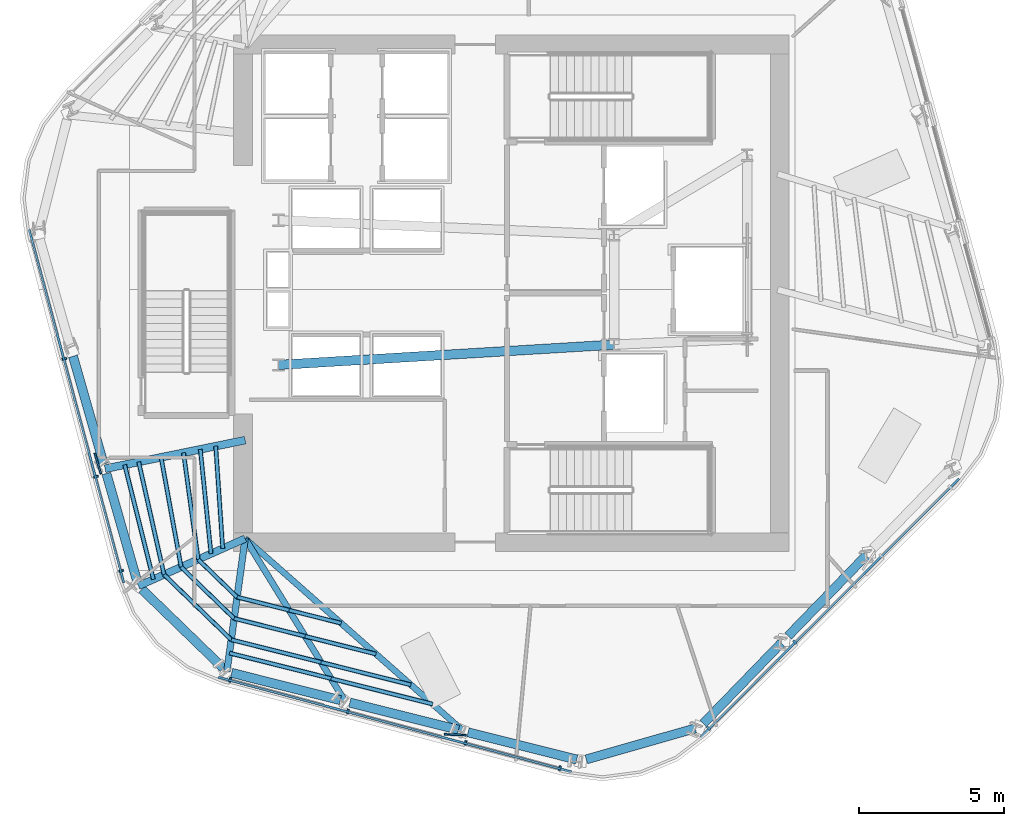
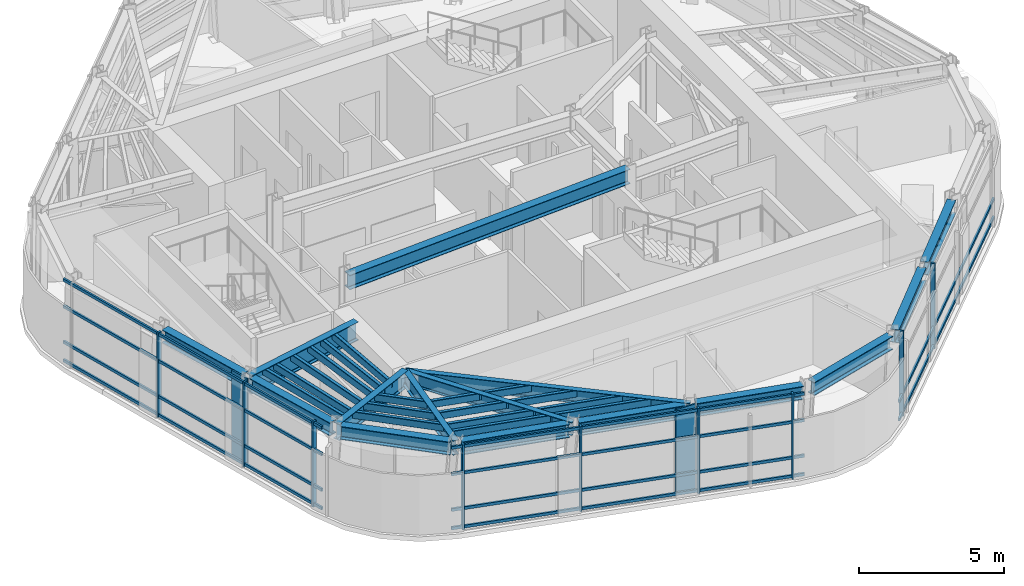
# One storey, part 2 of 13: 38 members, 15 beams, 3 elements without a shape of their own.
"""IFC4 building model written with IfcOpenShell, lengths in metres."""

from ifc_helpers import new_model, si_unit, direction, frame, origin, origin_2d, place, context, subcontext, project, spatial, rectangle, hollow_rectangle, i_section, extrude, material, layer, layer_set, material_profile, profile_set, type_object, element, aggregate, save


model = new_model("IFC4")

# Units and contexts
model_context = context("Model", 3, precision=1e-05, world=origin(), true_north=direction((0.0, 1.0)))
body_context = subcontext(model_context, "Body", "Model", "MODEL_VIEW")
ifc_project = project(units=[si_unit("LENGTHUNIT", "METRE"), si_unit("AREAUNIT", "SQUARE_METRE"), si_unit("VOLUMEUNIT", "CUBIC_METRE"), si_unit("PLANEANGLEUNIT", "RADIAN"), si_unit("MASSUNIT", "GRAM", prefix="KILO")], contexts=[model_context])

# Site, building, storey
site_placement = place(None, origin())
site = spatial("IfcSite", under=ifc_project, at=site_placement, CompositionType="ELEMENT")
building_placement = place(site_placement, origin())
building = spatial("IfcBuilding", under=site, at=building_placement, Name="Valkerne Bourse Tower", CompositionType="ELEMENT")
storey_placement = place(building_placement, frame((0.0, 0.0, 217.0)))
storey = spatial("IfcBuildingStorey", under=building, at=storey_placement, Name="L55", CompositionType="ELEMENT", Elevation=217.0)

# Beams
ifc_material_1 = material(Name="Steel ASTM A992", Category="steel")
ifc_material_profile_1 = material_profile(ifc_material_1, i_section(OverallWidth=0.31494140625, OverallDepth=0.5537109375, WebThickness=0.0166015625, FlangeThickness=0.026123046875, FilletRadius=0.020263671875, at=origin_2d()), Name="W21X132")
ifc_profile_set_1 = profile_set([ifc_material_profile_1], Name="Steel ASTM A992")
beam_type_1 = type_object("IfcBeamType", Name="BM-W21X132", PredefinedType="BEAM", material=ifc_profile_set_1)
for number, where, z_axis, x_axis, name in (
    (1, (31.65234375, 24.697998046875, 3.322998046875), (0.273963222598, -0.961740168998, 0.0), (0.961740168998, 0.273963222598, 0.0), "L55 Hexagonal Spandrel Ring Beam 09"),
    (2, (32.806396484375, 20.647216796875, 3.322998046875), (0.273904901023, -0.961756780686, 0.0), (0.961756780686, 0.273904901023, 0.0), "L55 Hexagonal Spandrel Ring Beam 10"),
):
    element("IfcBeam", number, at=place(storey_placement, frame(where, z_axis=z_axis, x_axis=x_axis)), inside=storey, type_object=beam_type_1, Name=name, PredefinedType="BEAM", context=body_context, shape_type="SweptSolid", body=[
        extrude(i_section(OverallWidth=0.31494140625, OverallDepth=0.5537109375, WebThickness=0.0166015625, FlangeThickness=0.026123046875, FilletRadius=0.020263671875, at=origin_2d()), origin(), (0.0, 0.0, 1.0), 3.8720703125),
    ])
beam_1_placement = place(storey_placement, frame((34.03564453125, 16.6416015625, 3.322998046875), z_axis=(0.718117526988, -0.695921847216, 0.0), x_axis=(0.695921847216, 0.718117526988, 0.0)))
element("IfcBeam", 3, at=beam_1_placement, inside=storey, type_object=beam_type_1, Name="L55 Hexagonal Spandrel Ring Beam 11", PredefinedType="BEAM", context=body_context, shape_type="SweptSolid", body=[
    extrude(i_section(OverallWidth=0.31494140625, OverallDepth=0.5537109375, WebThickness=0.0166015625, FlangeThickness=0.026123046875, FilletRadius=0.020263671875, at=origin_2d()), origin(), (0.0, 0.0, 1.0), 3.915771484375),
])
for number, where, z_axis, x_axis, name in (
    (4, (37.134521484375, 13.7568359375, 3.322998046875), (0.969882314, -0.243574007215, 0.0), (0.243574007215, 0.969882314, 0.0), "L55 Hexagonal Spandrel Ring Beam 12"),
    (5, (41.2197265625, 12.730712890625, 3.322998046875), (0.969882314, -0.243574007215, 0.0), (0.243574007215, 0.969882314, 0.0), "L55 Hexagonal Spandrel Ring Beam 13"),
    (6, (45.3046875, 11.70458984375, 3.322998046875), (0.969882314, -0.243574007215, 0.0), (0.243574007215, 0.969882314, 0.0), "L55 Hexagonal Spandrel Ring Beam 14"),
):
    element("IfcBeam", number, at=place(storey_placement, frame(where, z_axis=z_axis, x_axis=x_axis)), inside=storey, type_object=beam_type_1, Name=name, PredefinedType="BEAM", context=body_context, shape_type="SweptSolid", body=[
        extrude(i_section(OverallWidth=0.31494140625, OverallDepth=0.5537109375, WebThickness=0.0166015625, FlangeThickness=0.026123046875, FilletRadius=0.020263671875, at=origin_2d()), origin(), (0.0, 0.0, 1.0), 3.8720703125),
    ])
beam_2_placement = place(storey_placement, frame((49.388427734375, 10.7666015625, 3.322998046875), z_axis=(0.961740107607, 0.273963438109, 0.0), x_axis=(-0.273963438109, 0.961740107607, 0.0)))
element("IfcBeam", 7, at=beam_2_placement, inside=storey, type_object=beam_type_1, Name="L55 Hexagonal Spandrel Ring Beam 15", PredefinedType="BEAM", context=body_context, shape_type="SweptSolid", body=[
    extrude(i_section(OverallWidth=0.31494140625, OverallDepth=0.5537109375, WebThickness=0.0166015625, FlangeThickness=0.026123046875, FilletRadius=0.020263671875, at=origin_2d()), origin(), (0.0, 0.0, 1.0), 3.915771484375),
])
for number, where, z_axis, x_axis, name in (
    (8, (53.43603515625, 12.008056640625, 3.322998046875), (0.695922265033, 0.718117122085, 0.0), (-0.718117122085, 0.695922265033, 0.0), "L55 Hexagonal Spandrel Ring Beam 16"),
    (9, (56.3671875, 15.03271484375, 3.322998046875), (0.695954779127, 0.718085611477, 0.0), (-0.718085611477, 0.695954779127, 0.0), "L55 Hexagonal Spandrel Ring Beam 17"),
):
    element("IfcBeam", number, at=place(storey_placement, frame(where, z_axis=z_axis, x_axis=x_axis)), inside=storey, type_object=beam_type_1, Name=name, PredefinedType="BEAM", context=body_context, shape_type="SweptSolid", body=[
        extrude(i_section(OverallWidth=0.31494140625, OverallDepth=0.5537109375, WebThickness=0.0166015625, FlangeThickness=0.026123046875, FilletRadius=0.020263671875, at=origin_2d()), origin(), (0.0, 0.0, 1.0), 3.8720703125),
    ])
ifc_material_profile_2 = material_profile(ifc_material_1, i_section(OverallWidth=0.209228515625, OverallDepth=0.533447265625, WebThickness=0.01025390625, FlangeThickness=0.015625, FilletRadius=0.017822265625, at=origin_2d()), Name="W21X62")
ifc_profile_set_2 = profile_set([ifc_material_profile_2], Name="Steel ASTM A992")
beam_type_2 = type_object("IfcBeamType", Name="BM-W21X62", PredefinedType="JOIST", material=ifc_profile_set_2)
beam_3_placement = place(storey_placement, frame((45.139892578125, 11.74609375, 3.333251953125), z_axis=(-0.749786131835, 0.66168025247, 0.0), x_axis=(-0.66168025247, -0.749786131835, 0.0)))
element("IfcBeam", 10, at=beam_3_placement, inside=storey, type_object=beam_type_2, Name="L55 Radial Composite Floor Beam 14", PredefinedType="JOIST", context=body_context, shape_type="SweptSolid", body=[
    extrude(i_section(OverallWidth=0.209228515625, OverallDepth=0.533447265625, WebThickness=0.01025390625, FlangeThickness=0.015625, FilletRadius=0.017822265625, at=origin_2d()), origin(), (0.0, 0.0, 1.0), 10.055908203125),
])
ifc_material_profile_3 = material_profile(ifc_material_1, i_section(OverallWidth=0.2138671875, OverallDepth=0.548583984375, WebThickness=0.0146484375, FlangeThickness=0.023681640625, FilletRadius=0.017822265625, at=origin_2d()), Name="W21X93")
ifc_profile_set_3 = profile_set([ifc_material_profile_3], Name="Steel ASTM A992")
beam_type_3 = type_object("IfcBeamType", Name="BM-W21X93", PredefinedType="BEAM", material=ifc_profile_set_3)
beam_4_placement = place(storey_placement, frame((41.0546875, 12.772216796875, 3.32568359375), z_axis=(-0.523152336353, 0.852239187651, 0.0), x_axis=(-0.852239187651, -0.523152336353, 0.0)))
element("IfcBeam", 11, at=beam_4_placement, inside=storey, type_object=beam_type_3, Name="L55 Radial Composite Floor Beam 13", PredefinedType="BEAM", context=body_context, shape_type="SweptSolid", body=[
    extrude(i_section(OverallWidth=0.2138671875, OverallDepth=0.548583984375, WebThickness=0.0146484375, FlangeThickness=0.023681640625, FilletRadius=0.017822265625, at=origin_2d()), origin(), (0.0, 0.0, 1.0), 6.603515625),
])
ifc_material_profile_4 = material_profile(ifc_material_1, i_section(OverallWidth=0.3251953125, OverallDepth=0.612060546875, WebThickness=0.0126953125, FlangeThickness=0.01904296875, FilletRadius=0.020263671875, at=origin_2d()), Name="W24X104")
ifc_profile_set_4 = profile_set([ifc_material_profile_4], Name="Steel ASTM A992")
beam_type_4 = type_object("IfcBeamType", Name="BM-W24X104", PredefinedType="BEAM", material=ifc_profile_set_4)
beam_5_placement = place(storey_placement, frame((38.75, 24.39990234375, 3.2939453125), z_axis=(0.998183228389, 0.060251494276, 0.0), x_axis=(-0.060251494276, 0.998183228389, 0.0)))
element("IfcBeam", 12, at=beam_5_placement, inside=storey, type_object=beam_type_4, Name="L55 Core Frame Girder CG-SW", PredefinedType="BEAM", context=body_context, shape_type="SweptSolid", body=[
    extrude(i_section(OverallWidth=0.3251953125, OverallDepth=0.612060546875, WebThickness=0.0126953125, FlangeThickness=0.01904296875, FilletRadius=0.020263671875, at=origin_2d()), origin(), (0.0, 0.0, 1.0), 11.62109375),
])
ifc_material_profile_5 = material_profile(ifc_material_1, i_section(OverallWidth=0.228271484375, OverallDepth=0.607177734375, WebThickness=0.01123046875, FlangeThickness=0.017333984375, FilletRadius=0.017822265625, at=origin_2d()), Name="W24X76")
ifc_profile_set_5 = profile_set([ifc_material_profile_5], Name="Steel ASTM A992")
beam_type_5 = type_object("IfcBeamType", Name="BM-W24X76", PredefinedType="JOIST", material=ifc_profile_set_5)
beam_6_placement = place(storey_placement, frame((36.9697265625, 13.79833984375, 3.29638671875), z_axis=(0.135723062128, 0.990746814482, 0.0), x_axis=(-0.990746814482, 0.135723062128, 0.0)))
element("IfcBeam", 13, at=beam_6_placement, inside=storey, type_object=beam_type_5, Name="L55 Radial Composite Floor Beam 12", PredefinedType="JOIST", context=body_context, shape_type="SweptSolid", body=[
    extrude(i_section(OverallWidth=0.228271484375, OverallDepth=0.607177734375, WebThickness=0.01123046875, FlangeThickness=0.017333984375, FilletRadius=0.017822265625, at=origin_2d()), origin(), (0.0, 0.0, 1.0), 4.64453125),
])
ifc_material_profile_6 = material_profile(ifc_material_1, i_section(OverallWidth=0.255859375, OverallDepth=0.693359375, WebThickness=0.014404296875, FlangeThickness=0.023681640625, FilletRadius=0.02294921875, at=origin_2d()), Name="W27X114")
ifc_profile_set_6 = profile_set([ifc_material_profile_6], Name="Steel ASTM A992")
beam_type_6 = type_object("IfcBeamType", Name="BM-W27X114", PredefinedType="BEAM", material=ifc_profile_set_6)
beam_7_placement = place(storey_placement, frame((33.91357421875, 16.760009765625, 3.25341796875), z_axis=(0.913679254664, 0.406435996926, 0.0), x_axis=(-0.406435996926, 0.913679254664, 0.0)))
element("IfcBeam", 14, at=beam_7_placement, inside=storey, type_object=beam_type_6, Name="L55 Radial Composite Floor Beam 11", PredefinedType="BEAM", context=body_context, shape_type="SweptSolid", body=[
    extrude(i_section(OverallWidth=0.255859375, OverallDepth=0.693359375, WebThickness=0.014404296875, FlangeThickness=0.023681640625, FilletRadius=0.02294921875, at=origin_2d()), origin(), (0.0, 0.0, 1.0), 4.034912109375),
])
ifc_material_profile_7 = material_profile(ifc_material_1, i_section(OverallWidth=0.26806640625, OverallDepth=0.76953125, WebThickness=0.015625, FlangeThickness=0.025390625, FilletRadius=0.025390625, at=origin_2d()), Name="W30X132")
ifc_profile_set_7 = profile_set([ifc_material_profile_7], Name="Steel ASTM A992")
beam_type_7 = type_object("IfcBeamType", Name="BM-W30X132", PredefinedType="BEAM", material=ifc_profile_set_7)
beam_8_placement = place(storey_placement, frame((32.759765625, 20.810791015625, 3.215087890625), z_axis=(0.979747113152, 0.200238843059, 0.0), x_axis=(-0.200238843059, 0.979747113152, 0.0)))
element("IfcBeam", 15, at=beam_8_placement, inside=storey, type_object=beam_type_7, Name="L55 Radial Composite Floor Beam 10", PredefinedType="BEAM", context=body_context, shape_type="SweptSolid", body=[
    extrude(i_section(OverallWidth=0.26806640625, OverallDepth=0.76953125, WebThickness=0.015625, FlangeThickness=0.025390625, FilletRadius=0.025390625, at=origin_2d()), origin(), (0.0, 0.0, 1.0), 4.9404296875),
])

# Curtain wall, members
ifc_material_2 = material(Name="Aluminium AA 6063-T6", Category="aluminium")
ifc_layer = layer(ifc_material_2, 0.239990234375)
ifc_layer_set = layer_set([ifc_layer], Name="Aluminium AA 6063-T6")
curtain_wall_type = type_object("IfcCurtainWallType", Name="CW-04", PredefinedType="NOTDEFINED", material=ifc_layer_set)
curtain_wall_1_placement = place(storey_placement, origin())
curtain_wall_1 = element("IfcCurtainWall", 16, at=curtain_wall_1_placement, inside=storey, type_object=curtain_wall_type, Name="L55 Hexagonal Stick Curtain Wall Face 3", PredefinedType="NOTDEFINED")
ifc_material_profile_8 = material_profile(ifc_material_2, rectangle(XDim=0.074951171875, YDim=0.159912109375, at=origin_2d()), Name="CWM-75X160")
ifc_profile_set_8 = profile_set([ifc_material_profile_8], Name="Aluminium AA 6063-T6")
member_type_1 = type_object("IfcMemberType", Name="CW-MUL-160X75", PredefinedType="MULLION", material=ifc_profile_set_8)
member_1_placement = place(storey_placement, frame((31.3544921875, 24.606689453125, 0.0), z_axis=(0.0, 0.0, 1.0), x_axis=(0.258807683831, -0.965928870461, 0.0)))
member_1 = element("IfcMember", 17, at=member_1_placement, type_object=member_type_1, Name="CW-L55-F3 Jamb Mullion 01A", PredefinedType="MULLION", context=body_context, shape_type="SweptSolid", body=[
    extrude(rectangle(XDim=0.074951171875, YDim=0.159912109375, at=origin_2d()), origin(), (0.0, 0.0, 1.0), 3.60009765625),
])
member_2_placement = place(storey_placement, frame((32.444580078125, 20.538330078125, 0.0), z_axis=(0.0, 0.0, 1.0), x_axis=(0.25883577077, -0.965921344505, 0.0)))
member_2 = element("IfcMember", 18, at=member_2_placement, type_object=member_type_1, Name="CW-L55-F3 Jamb Mullion 02A", PredefinedType="MULLION", context=body_context, shape_type="SweptSolid", body=[
    extrude(rectangle(XDim=0.074951171875, YDim=0.159912109375, at=origin_2d()), origin(), (0.0, 0.0, 1.0), 3.60009765625),
])
member_3_placement = place(storey_placement, frame((33.3173828125, 17.28125, 0.0), z_axis=(0.0, 0.0, 1.0), x_axis=(0.25883577077, -0.965921344505, 0.0)))
member_3 = element("IfcMember", 19, at=member_3_placement, type_object=member_type_1, Name="CW-L55-F3 Jamb Mullion 02B", PredefinedType="MULLION", context=body_context, shape_type="SweptSolid", body=[
    extrude(rectangle(XDim=0.074951171875, YDim=0.159912109375, at=origin_2d()), origin(), (0.0, 0.0, 1.0), 3.60009765625),
])

curtain_wall_2_placement = place(storey_placement, origin())
curtain_wall_2 = element("IfcCurtainWall", 20, at=curtain_wall_2_placement, inside=storey, type_object=curtain_wall_type, Name="L55 Hexagonal Stick Curtain Wall Face 4", PredefinedType="NOTDEFINED")
member_4_placement = place(storey_placement, frame((37.081298828125, 13.517333984375, 0.0), z_axis=(0.0, 0.0, 1.0), x_axis=(0.965921344505, -0.25883577077, 0.0)))
member_4 = element("IfcMember", 21, at=member_4_placement, type_object=member_type_1, Name="CW-L55-F4 Jamb Mullion 00A", PredefinedType="MULLION", context=body_context, shape_type="SweptSolid", body=[
    extrude(rectangle(XDim=0.074951171875, YDim=0.159912109375, at=origin_2d()), origin(), (0.0, 0.0, 1.0), 3.60009765625),
])
member_5_placement = place(storey_placement, frame((41.149658203125, 12.427001953125, 0.0), z_axis=(0.0, 0.0, 1.0), x_axis=(0.965928870461, -0.258807683831, 0.0)))
member_5 = element("IfcMember", 22, at=member_5_placement, type_object=member_type_1, Name="CW-L55-F4 Jamb Mullion 01A", PredefinedType="MULLION", context=body_context, shape_type="SweptSolid", body=[
    extrude(rectangle(XDim=0.074951171875, YDim=0.159912109375, at=origin_2d()), origin(), (0.0, 0.0, 1.0), 3.60009765625),
])
member_6_placement = place(storey_placement, frame((45.21826171875, 11.3369140625, 0.0), z_axis=(0.0, 0.0, 1.0), x_axis=(0.96592293507, -0.258829835037, 0.0)))
member_6 = element("IfcMember", 23, at=member_6_placement, type_object=member_type_1, Name="CW-L55-F4 Jamb Mullion 02A", PredefinedType="MULLION", context=body_context, shape_type="SweptSolid", body=[
    extrude(rectangle(XDim=0.074951171875, YDim=0.159912109375, at=origin_2d()), origin(), (0.0, 0.0, 1.0), 3.60009765625),
])
member_7_placement = place(storey_placement, frame((48.475341796875, 10.464111328125, 0.0), z_axis=(0.0, 0.0, 1.0), x_axis=(0.96592293507, -0.258829835037, 0.0)))
member_7 = element("IfcMember", 24, at=member_7_placement, type_object=member_type_1, Name="CW-L55-F4 Jamb Mullion 02B", PredefinedType="MULLION", context=body_context, shape_type="SweptSolid", body=[
    extrude(rectangle(XDim=0.074951171875, YDim=0.159912109375, at=origin_2d()), origin(), (0.0, 0.0, 1.0), 3.60009765625),
])

curtain_wall_3_placement = place(storey_placement, origin())
curtain_wall_3 = element("IfcCurtainWall", 25, at=curtain_wall_3_placement, inside=storey, type_object=curtain_wall_type, Name="L55 Hexagonal Stick Curtain Wall Face 5", PredefinedType="NOTDEFINED")
member_8_placement = place(storey_placement, frame((53.616943359375, 11.842041015625, 0.0), z_axis=(0.0, 0.0, 1.0), x_axis=(0.707118651865, 0.707094910308, 0.0)))
member_8 = element("IfcMember", 26, at=member_8_placement, type_object=member_type_1, Name="CW-L55-F5 Jamb Mullion 00A", PredefinedType="MULLION", context=body_context, shape_type="SweptSolid", body=[
    extrude(rectangle(XDim=0.074951171875, YDim=0.159912109375, at=origin_2d()), origin(), (0.0, 0.0, 1.0), 3.60009765625),
])
member_9_placement = place(storey_placement, frame((56.595458984375, 14.8203125, 0.0), z_axis=(0.0, 0.0, 1.0), x_axis=(0.707106781187, 0.707106781187, 0.0)))
member_9 = element("IfcMember", 27, at=member_9_placement, type_object=member_type_1, Name="CW-L55-F5 Jamb Mullion 01A", PredefinedType="MULLION", context=body_context, shape_type="SweptSolid", body=[
    extrude(rectangle(XDim=0.074951171875, YDim=0.159912109375, at=origin_2d()), origin(), (0.0, 0.0, 1.0), 3.60009765625),
])

# Member
ifc_material_profile_9 = material_profile(ifc_material_2, rectangle(XDim=0.074951171875, YDim=0.1201171875, at=origin_2d()), Name="CWT-75X120")
ifc_profile_set_9 = profile_set([ifc_material_profile_9], Name="Aluminium AA 6063-T6")
member_type_2 = type_object("IfcMemberType", Name="CW-TRN-120X75", PredefinedType="USERDEFINED", material=ifc_profile_set_9)
member_10_placement = place(storey_placement, frame((30.13623046875, 29.07568359375, 0.1201171875), z_axis=(0.258826544699, -0.965923816747, 0.0), x_axis=(0.965923816747, 0.258826544699, 0.0)))
member_10 = element("IfcMember", 28, at=member_10_placement, type_object=member_type_2, Name="CW-L55-F3 Continuous Face Transom 1", ObjectType="TRANSOM", PredefinedType="USERDEFINED", context=body_context, shape_type="SweptSolid", body=[
    extrude(rectangle(XDim=0.074951171875, YDim=0.1201171875, at=origin_2d()), origin(), (0.0, 0.0, 1.0), 12.635986328125),
])

member_11_placement = place(storey_placement, frame((30.13623046875, 29.07568359375, 0.89990234375), z_axis=(0.258826544699, -0.965923816747, 0.0), x_axis=(0.965923816747, 0.258826544699, 0.0)))
member_11 = element("IfcMember", 29, at=member_11_placement, type_object=member_type_2, Name="CW-L55-F3 Continuous Face Transom 2", ObjectType="TRANSOM", PredefinedType="USERDEFINED", context=body_context, shape_type="SweptSolid", body=[
    extrude(rectangle(XDim=0.074951171875, YDim=0.1201171875, at=origin_2d()), origin(), (0.0, 0.0, 1.0), 12.635986328125),
])

member_12_placement = place(storey_placement, frame((30.13623046875, 29.07568359375, 2.39990234375), z_axis=(0.258826544699, -0.965923816747, 0.0), x_axis=(0.965923816747, 0.258826544699, 0.0)))
member_12 = element("IfcMember", 30, at=member_12_placement, type_object=member_type_2, Name="CW-L55-F3 Continuous Face Transom 3", ObjectType="TRANSOM", PredefinedType="USERDEFINED", context=body_context, shape_type="SweptSolid", body=[
    extrude(rectangle(XDim=0.074951171875, YDim=0.1201171875, at=origin_2d()), origin(), (0.0, 0.0, 1.0), 12.635986328125),
])

member_13_placement = place(storey_placement, frame((30.13623046875, 29.07568359375, 3.52001953125), z_axis=(0.258826544699, -0.965923816747, 0.0), x_axis=(0.965923816747, 0.258826544699, 0.0)))
member_13 = element("IfcMember", 31, at=member_13_placement, type_object=member_type_2, Name="CW-L55-F3 Continuous Face Transom 4", ObjectType="TRANSOM", PredefinedType="USERDEFINED", context=body_context, shape_type="SweptSolid", body=[
    extrude(rectangle(XDim=0.074951171875, YDim=0.1201171875, at=origin_2d()), origin(), (0.0, 0.0, 1.0), 12.635986328125),
])

aggregate(curtain_wall_1, [member_10, member_11, member_12, member_13, member_1, member_2, member_3])

member_14_placement = place(storey_placement, frame((36.67041015625, 13.606689453125, 0.1201171875), z_axis=(0.965923816747, -0.258826544699, 0.0), x_axis=(0.258826544699, 0.965923816747, 0.0)))
member_14 = element("IfcMember", 32, at=member_14_placement, type_object=member_type_2, Name="CW-L55-F4 Continuous Face Transom 1", ObjectType="TRANSOM", PredefinedType="USERDEFINED", context=body_context, shape_type="SweptSolid", body=[
    extrude(rectangle(XDim=0.074951171875, YDim=0.1201171875, at=origin_2d()), origin(), (0.0, 0.0, 1.0), 12.635986328125),
])

member_15_placement = place(storey_placement, frame((36.67041015625, 13.606689453125, 0.89990234375), z_axis=(0.965923816747, -0.258826544699, 0.0), x_axis=(0.258826544699, 0.965923816747, 0.0)))
member_15 = element("IfcMember", 33, at=member_15_placement, type_object=member_type_2, Name="CW-L55-F4 Continuous Face Transom 2", ObjectType="TRANSOM", PredefinedType="USERDEFINED", context=body_context, shape_type="SweptSolid", body=[
    extrude(rectangle(XDim=0.074951171875, YDim=0.1201171875, at=origin_2d()), origin(), (0.0, 0.0, 1.0), 12.635986328125),
])

member_16_placement = place(storey_placement, frame((36.67041015625, 13.606689453125, 2.39990234375), z_axis=(0.965923816747, -0.258826544699, 0.0), x_axis=(0.258826544699, 0.965923816747, 0.0)))
member_16 = element("IfcMember", 34, at=member_16_placement, type_object=member_type_2, Name="CW-L55-F4 Continuous Face Transom 3", ObjectType="TRANSOM", PredefinedType="USERDEFINED", context=body_context, shape_type="SweptSolid", body=[
    extrude(rectangle(XDim=0.074951171875, YDim=0.1201171875, at=origin_2d()), origin(), (0.0, 0.0, 1.0), 12.635986328125),
])

member_17_placement = place(storey_placement, frame((36.67041015625, 13.606689453125, 3.52001953125), z_axis=(0.965923816747, -0.258826544699, 0.0), x_axis=(0.258826544699, 0.965923816747, 0.0)))
member_17 = element("IfcMember", 35, at=member_17_placement, type_object=member_type_2, Name="CW-L55-F4 Continuous Face Transom 4", ObjectType="TRANSOM", PredefinedType="USERDEFINED", context=body_context, shape_type="SweptSolid", body=[
    extrude(rectangle(XDim=0.074951171875, YDim=0.1201171875, at=origin_2d()), origin(), (0.0, 0.0, 1.0), 12.635986328125),
])

aggregate(curtain_wall_2, [member_14, member_15, member_16, member_17, member_4, member_5, member_6, member_7])

member_18_placement = place(storey_placement, frame((53.334228515625, 11.53076171875, 0.1201171875), z_axis=(0.707106781187, 0.707106781187, 0.0), x_axis=(-0.707106781187, 0.707106781187, 0.0)))
member_18 = element("IfcMember", 36, at=member_18_placement, type_object=member_type_2, Name="CW-L55-F5 Continuous Face Transom 1", ObjectType="TRANSOM", PredefinedType="USERDEFINED", context=body_context, shape_type="SweptSolid", body=[
    extrude(rectangle(XDim=0.074951171875, YDim=0.1201171875, at=origin_2d()), origin(), (0.0, 0.0, 1.0), 12.635986328125),
])

member_19_placement = place(storey_placement, frame((53.334228515625, 11.53076171875, 0.89990234375), z_axis=(0.707106781187, 0.707106781187, 0.0), x_axis=(-0.707106781187, 0.707106781187, 0.0)))
member_19 = element("IfcMember", 37, at=member_19_placement, type_object=member_type_2, Name="CW-L55-F5 Continuous Face Transom 2", ObjectType="TRANSOM", PredefinedType="USERDEFINED", context=body_context, shape_type="SweptSolid", body=[
    extrude(rectangle(XDim=0.074951171875, YDim=0.1201171875, at=origin_2d()), origin(), (0.0, 0.0, 1.0), 12.635986328125),
])

aggregate(curtain_wall_3, [member_18, member_19, member_8, member_9])

# Members
ifc_material_3 = material(Name="Bronze Anodised Aluminium AA 6063-T6", Category="aluminium")
ifc_material_profile_10 = material_profile(ifc_material_3, rectangle(XDim=0.06494140625, YDim=0.75, at=origin_2d()), Name="FIN-65X750")
ifc_profile_set_10 = profile_set([ifc_material_profile_10], Name="Bronze Anodised Aluminium AA 6063-T6")
member_type_3 = type_object("IfcMemberType", Name="FIN-SOLAR-650", PredefinedType="USERDEFINED", material=ifc_profile_set_10)
for number, where, z_axis, x_axis, name in (
    (38, (32.509765625, 20.990478515625, 0.00390625), (0.0, 0.0, 1.0), (-0.957175108227, -0.289509606389, 0.0), "L55 Bronze Anodised Solar Fin F3-02"),
    (39, (44.859130859375, 11.61962890625, 0.00390625), (0.0, 0.0, 1.0), (-0.036057428782, -0.999349719482, 0.0), "L55 Bronze Anodised Solar Fin F4-02"),
):
    element("IfcMember", number, at=place(storey_placement, frame(where, z_axis=z_axis, x_axis=x_axis)), inside=storey, type_object=member_type_3, Name=name, ObjectType="SOLAR_FIN", PredefinedType="USERDEFINED", context=body_context, shape_type="SweptSolid", body=[
        extrude(rectangle(XDim=0.06494140625, YDim=0.75, at=origin_2d()), origin(), (0.0, 0.0, 1.0), 3.592041015625),
    ])
ifc_material_4 = material(Name="Steel ASTM A500 Grade C", Category="steel")
ifc_material_profile_11 = material_profile(ifc_material_4, hollow_rectangle(XDim=0.14990234375, YDim=0.300048828125, WallThickness=0.012451171875, OuterFilletRadius=0.02490234375, at=origin_2d()), Name="HSS300X150X12.5")
ifc_profile_set_11 = profile_set([ifc_material_profile_11], Name="Steel ASTM A500 Grade C")
member_type_4 = type_object("IfcMemberType", Name="MBR-HSS300X150X12.5", PredefinedType="PURLIN", material=ifc_profile_set_11)
member_20_placement = place(storey_placement, frame((36.051025390625, 21.4833984375, 3.43994140625), z_axis=(0.101842694359, -0.994800515483, 0.0), x_axis=(0.994800515483, 0.101842694359, 0.0)))
element("IfcMember", 40, at=member_20_placement, inside=storey, type_object=member_type_4, Name="L55 Secondary Composite Floor Purlin I-10", PredefinedType="PURLIN", context=body_context, shape_type="SweptSolid", body=[
    extrude(hollow_rectangle(XDim=0.14990234375, YDim=0.300048828125, WallThickness=0.012451171875, OuterFilletRadius=0.02490234375, at=origin_2d()), origin(), (0.0, 0.0, 1.0), 3.626953125),
])
member_21_placement = place(storey_placement, frame((35.47021484375, 21.36474609375, 3.43994140625), z_axis=(0.136468662023, -0.990644388409, 0.0), x_axis=(0.990644388409, 0.136468662023, 0.0)))
element("IfcMember", 41, at=member_21_placement, inside=storey, type_object=member_type_4, Name="L55 Secondary Composite Floor Purlin K-10", PredefinedType="PURLIN", context=body_context, shape_type="SweptSolid", body=[
    extrude(hollow_rectangle(XDim=0.14990234375, YDim=0.300048828125, WallThickness=0.012451171875, OuterFilletRadius=0.02490234375, at=origin_2d()), origin(), (0.0, 0.0, 1.0), 3.72119140625),
])
member_22_placement = place(storey_placement, frame((35.97802734375, 17.678466796875, 3.43994140625), z_axis=(0.718101755639, -0.695938121206, 0.0), x_axis=(0.695938121206, 0.718101755639, 0.0)))
element("IfcMember", 42, at=member_22_placement, inside=storey, type_object=member_type_4, Name="L55 Secondary Composite Floor Purlin K-11", PredefinedType="PURLIN", context=body_context, shape_type="SweptSolid", body=[
    extrude(hollow_rectangle(XDim=0.14990234375, YDim=0.300048828125, WallThickness=0.012451171875, OuterFilletRadius=0.02490234375, at=origin_2d()), origin(), (0.0, 0.0, 1.0), 1.87255859375),
])
for number, where, z_axis, x_axis, name in (
    (43, (37.32275390625, 16.375244140625, 3.43994140625), (0.969878445342, -0.243589411225, 0.0), (0.243589411225, 0.969878445342, 0.0), "L55 Secondary Composite Floor Purlin K-12"),
    (44, (39.1201171875, 15.923828125, 3.43994140625), (0.969878445342, -0.243589411225, 0.0), (0.243589411225, 0.969878445342, 0.0), "L55 Secondary Composite Floor Purlin K-13"),
):
    element("IfcMember", number, at=place(storey_placement, frame(where, z_axis=z_axis, x_axis=x_axis)), inside=storey, type_object=member_type_4, Name=name, PredefinedType="PURLIN", context=body_context, shape_type="SweptSolid", body=[
        extrude(hollow_rectangle(XDim=0.14990234375, YDim=0.300048828125, WallThickness=0.012451171875, OuterFilletRadius=0.02490234375, at=origin_2d()), origin(), (0.0, 0.0, 1.0), 1.853271484375),
    ])
member_23_placement = place(storey_placement, frame((33.92138671875, 21.048095703125, 3.43994140625), z_axis=(0.219675179808, -0.975573070239, 0.0), x_axis=(0.975573070239, 0.219675179808, 0.0)))
element("IfcMember", 45, at=member_23_placement, inside=storey, type_object=member_type_4, Name="L55 Secondary Composite Floor Purlin O-10", PredefinedType="PURLIN", context=body_context, shape_type="SweptSolid", body=[
    extrude(hollow_rectangle(XDim=0.14990234375, YDim=0.300048828125, WallThickness=0.012451171875, OuterFilletRadius=0.02490234375, at=origin_2d()), origin(), (0.0, 0.0, 1.0), 3.991943359375),
])
member_24_placement = place(storey_placement, frame((34.79833984375, 17.153564453125, 3.43994140625), z_axis=(0.718115260691, -0.695924185786, 0.0), x_axis=(0.695924185786, 0.718115260691, 0.0)))
element("IfcMember", 46, at=member_24_placement, inside=storey, type_object=member_type_4, Name="L55 Secondary Composite Floor Purlin O-11", PredefinedType="PURLIN", context=body_context, shape_type="SweptSolid", body=[
    extrude(hollow_rectangle(XDim=0.14990234375, YDim=0.300048828125, WallThickness=0.012451171875, OuterFilletRadius=0.02490234375, at=origin_2d()), origin(), (0.0, 0.0, 1.0), 3.234619140625),
])
member_25_placement = place(storey_placement, frame((37.12109375, 14.902587890625, 3.43994140625), z_axis=(0.96987270785, -0.243612254551, 0.0), x_axis=(0.243612254551, 0.96987270785, 0.0)))
element("IfcMember", 47, at=member_25_placement, inside=storey, type_object=member_type_4, Name="L55 Secondary Composite Floor Purlin O-12", PredefinedType="PURLIN", context=body_context, shape_type="SweptSolid", body=[
    extrude(hollow_rectangle(XDim=0.14990234375, YDim=0.300048828125, WallThickness=0.012451171875, OuterFilletRadius=0.02490234375, at=origin_2d()), origin(), (0.0, 0.0, 1.0), 3.200927734375),
])
member_26_placement = place(storey_placement, frame((40.2255859375, 14.122802734375, 3.43994140625), z_axis=(0.969877233847, -0.243594234875, 0.0), x_axis=(0.243594234875, 0.969877233847, 0.0)))
element("IfcMember", 48, at=member_26_placement, inside=storey, type_object=member_type_4, Name="L55 Secondary Composite Floor Purlin O-13", PredefinedType="PURLIN", context=body_context, shape_type="SweptSolid", body=[
    extrude(hollow_rectangle(XDim=0.14990234375, YDim=0.300048828125, WallThickness=0.012451171875, OuterFilletRadius=0.02490234375, at=origin_2d()), origin(), (0.0, 0.0, 1.0), 3.201171875),
])
member_27_placement = place(storey_placement, frame((34.69580078125, 21.206298828125, 3.43994140625), z_axis=(0.179699473873, -0.98372155567, 0.0), x_axis=(0.98372155567, 0.179699473873, 0.0)))
element("IfcMember", 49, at=member_27_placement, inside=storey, type_object=member_type_4, Name="L55 Secondary Composite Floor Purlin Z-10", PredefinedType="PURLIN", context=body_context, shape_type="SweptSolid", body=[
    extrude(hollow_rectangle(XDim=0.14990234375, YDim=0.300048828125, WallThickness=0.012451171875, OuterFilletRadius=0.02490234375, at=origin_2d()), origin(), (0.0, 0.0, 1.0), 3.85302734375),
])
member_28_placement = place(storey_placement, frame((35.38818359375, 17.416015625, 3.43994140625), z_axis=(0.718063999555, -0.695977077598, 0.0), x_axis=(0.695977077598, 0.718063999555, 0.0)))
element("IfcMember", 50, at=member_28_placement, inside=storey, type_object=member_type_4, Name="L55 Secondary Composite Floor Purlin Z-11", PredefinedType="PURLIN", context=body_context, shape_type="SweptSolid", body=[
    extrude(hollow_rectangle(XDim=0.14990234375, YDim=0.300048828125, WallThickness=0.012451171875, OuterFilletRadius=0.02490234375, at=origin_2d()), origin(), (0.0, 0.0, 1.0), 2.553466796875),
])
member_29_placement = place(storey_placement, frame((37.2216796875, 15.638916015625, 3.43994140625), z_axis=(0.969869132284, -0.243626489205, 0.0), x_axis=(0.243626489205, 0.969869132284, 0.0)))
element("IfcMember", 51, at=member_29_placement, inside=storey, type_object=member_type_4, Name="L55 Secondary Composite Floor Purlin Z-12", PredefinedType="PURLIN", context=body_context, shape_type="SweptSolid", body=[
    extrude(hollow_rectangle(XDim=0.14990234375, YDim=0.300048828125, WallThickness=0.012451171875, OuterFilletRadius=0.02490234375, at=origin_2d()), origin(), (0.0, 0.0, 1.0), 2.52734375),
])
member_30_placement = place(storey_placement, frame((39.6728515625, 15.023193359375, 3.43994140625), z_axis=(0.969886223617, -0.243558439061, 0.0), x_axis=(0.243558439061, 0.969886223617, 0.0)))
element("IfcMember", 52, at=member_30_placement, inside=storey, type_object=member_type_4, Name="L55 Secondary Composite Floor Purlin Z-13", PredefinedType="PURLIN", context=body_context, shape_type="SweptSolid", body=[
    extrude(hollow_rectangle(XDim=0.14990234375, YDim=0.300048828125, WallThickness=0.012451171875, OuterFilletRadius=0.02490234375, at=origin_2d()), origin(), (0.0, 0.0, 1.0), 2.527099609375),
])
member_31_placement = place(storey_placement, frame((36.58349609375, 21.59228515625, 3.43994140625), z_axis=(0.068388454891, -0.997658768937, 0.0), x_axis=(0.997658768937, 0.068388454891, 0.0)))
element("IfcMember", 53, at=member_31_placement, inside=storey, type_object=member_type_4, Name="L55 Secondary Composite Floor Purlin S-10", PredefinedType="PURLIN", context=body_context, shape_type="SweptSolid", body=[
    extrude(hollow_rectangle(XDim=0.14990234375, YDim=0.300048828125, WallThickness=0.012451171875, OuterFilletRadius=0.02490234375, at=origin_2d()), origin(), (0.0, 0.0, 1.0), 3.544921875),
])
member_32_placement = place(storey_placement, frame((33.437255859375, 20.94921875, 3.43994140625), z_axis=(0.243112536868, -0.969998089904, 0.0), x_axis=(0.969998089904, 0.243112536868, 0.0)))
element("IfcMember", 54, at=member_32_placement, inside=storey, type_object=member_type_4, Name="L55 Secondary Composite Floor Purlin T-10", PredefinedType="PURLIN", context=body_context, shape_type="SweptSolid", body=[
    extrude(hollow_rectangle(XDim=0.14990234375, YDim=0.300048828125, WallThickness=0.012451171875, OuterFilletRadius=0.02490234375, at=origin_2d()), origin(), (0.0, 0.0, 1.0), 4.082275390625),
])
for number, where, z_axis, x_axis, name in (
    (55, (37.057861328125, 14.4423828125, 3.43994140625), (0.96988026648, -0.243582160046, 0.0), (0.243582160046, 0.96988026648, 0.0), "L55 Secondary Composite Floor Purlin T-12"),
    (56, (40.571044921875, 13.56005859375, 3.43994140625), (0.969864341815, -0.243645559115, 0.0), (0.243645559115, 0.969864341815, 0.0), "L55 Secondary Composite Floor Purlin T-13"),
):
    element("IfcMember", number, at=place(storey_placement, frame(where, z_axis=z_axis, x_axis=x_axis)), inside=storey, type_object=member_type_4, Name=name, PredefinedType="PURLIN", context=body_context, shape_type="SweptSolid", body=[
        extrude(hollow_rectangle(XDim=0.14990234375, YDim=0.300048828125, WallThickness=0.012451171875, OuterFilletRadius=0.02490234375, at=origin_2d()), origin(), (0.0, 0.0, 1.0), 3.622314453125),
    ])

save(model, "model.ifc")
